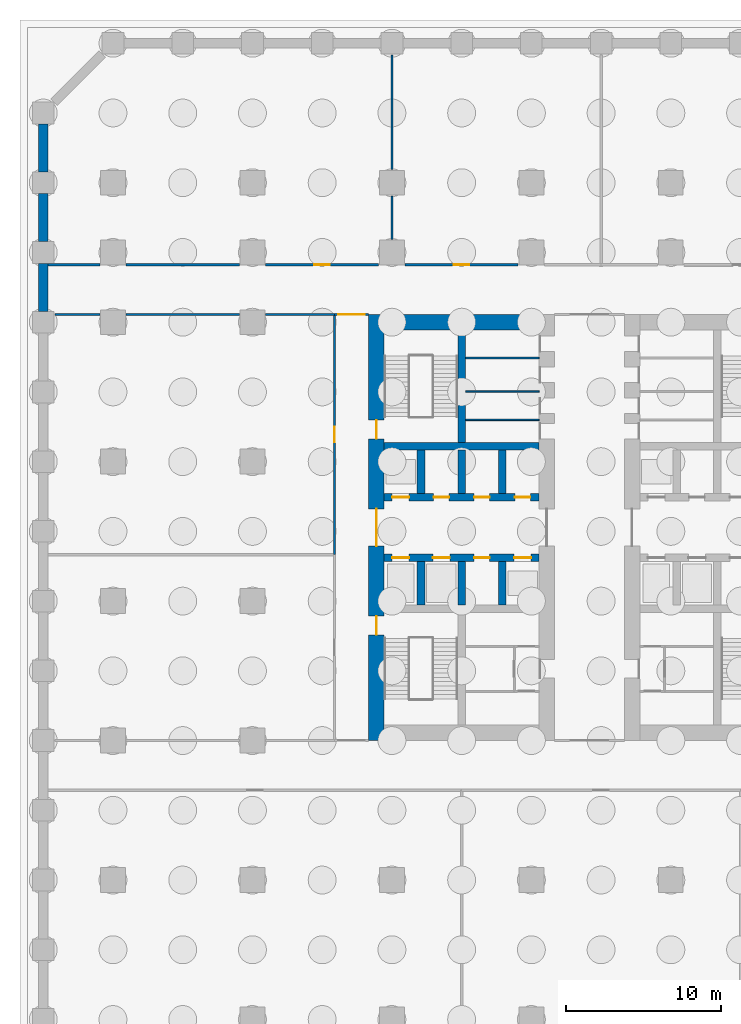
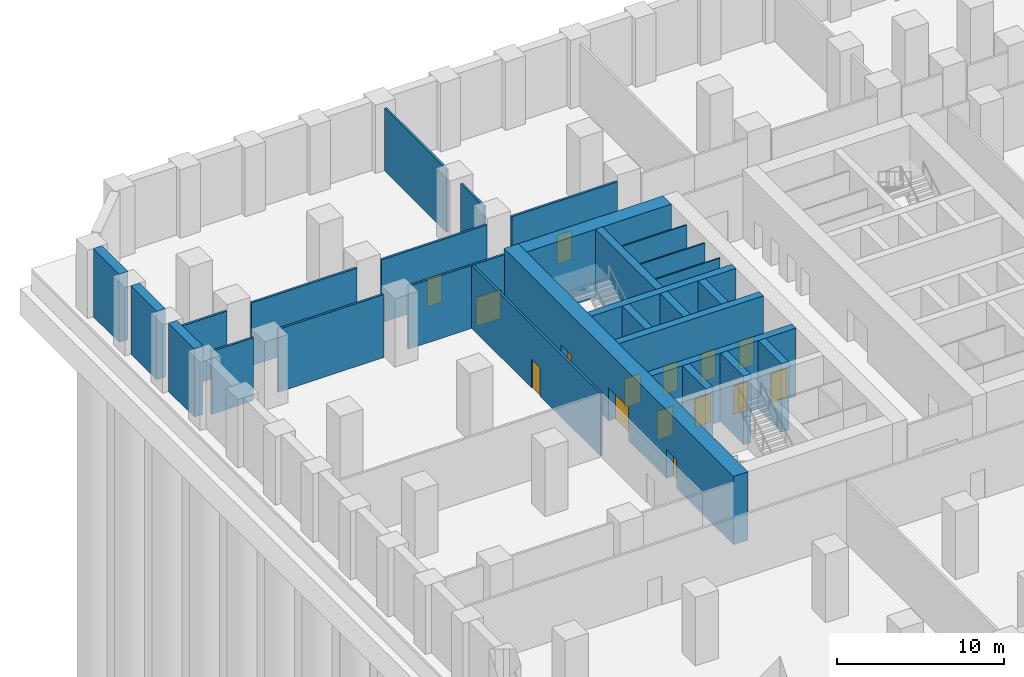
# One storey, part 4 of 9: 29 walls, 15 doors, 15 openings.
"""IFC4 building model written with IfcOpenShell, lengths in metres."""

from ifc_helpers import new_model, si_unit, direction, frame, frame_2d, origin, place, context, subcontext, project, spatial, rectangle, extrude, material, layer, layer_set, type_object, element, fill, save


model = new_model("IFC4")

# Units and contexts
model_context = context("Model", 3, precision=1e-05, world=origin(), true_north=direction((0.0, 1.0)))
body_context = subcontext(model_context, "Body", "Model", "MODEL_VIEW")
ifc_project = project(units=[si_unit("LENGTHUNIT", "METRE"), si_unit("AREAUNIT", "SQUARE_METRE"), si_unit("VOLUMEUNIT", "CUBIC_METRE"), si_unit("PLANEANGLEUNIT", "RADIAN"), si_unit("MASSUNIT", "GRAM", prefix="KILO")], contexts=[model_context])

# Site, building, storey
site_placement = place(None, origin())
site = spatial("IfcSite", under=ifc_project, at=site_placement, CompositionType="ELEMENT")
building_placement = place(site_placement, origin())
building = spatial("IfcBuilding", under=site, at=building_placement, Name="Corbel Stack Research Tower", CompositionType="ELEMENT")
storey_placement = place(building_placement, frame((0.0, 0.0, -10.0)))
storey = spatial("IfcBuildingStorey", under=building, at=storey_placement, Name="B2", CompositionType="ELEMENT", Elevation=-10.0)

# Walls
ifc_material_1 = material(Name="Concrete C45/55", Category="concrete")
ifc_layer_1 = layer(ifc_material_1, 0.60009765625)
ifc_layer_set_1 = layer_set([ifc_layer_1], Name="Concrete C45/55")
wall_type_1 = type_object("IfcWallType", Name="BW-600", PredefinedType="SOLIDWALL", material=ifc_layer_set_1)
for number, where, z_axis, x_axis, name in (
    (1, (-31.5, 30.800048828125, 0.0), (0.0, 0.0, 1.0), (0.0, -1.0, 0.0), "Basement wall B2"),
    (2, (-31.5, 26.300048828125, 0.0), (0.0, 0.0, 1.0), (0.0, -1.0, 0.0), "Basement wall B2"),
    (3, (-31.5, 21.800048828125, 0.0), (0.0, 0.0, 1.0), (0.0, -1.0, 0.0), "Basement wall B2"),
):
    element("IfcWall", number, at=place(storey_placement, frame(where, z_axis=z_axis, x_axis=x_axis)), inside=storey, type_object=wall_type_1, Name=name, PredefinedType="SOLIDWALL", context=body_context, shape_type="SweptSolid", body=[
        extrude(rectangle(XDim=3.10009765625, YDim=0.60009765625, at=frame_2d((1.550048828125, 0.0))), origin(), (0.0, 0.0, 1.0), 5.0),
    ])

# Wall, opening, door
ifc_material_2 = material(Name="Concrete block", Category="concrete")
ifc_layer_2 = layer(ifc_material_2, 0.14990234375)
ifc_layer_set_2 = layer_set([ifc_layer_2], Name="Concrete block")
wall_type_2 = type_object("IfcWallType", Name="Base partition 150 B2", PredefinedType="PARTITIONING", material=ifc_layer_set_2)
wall_1_placement = place(storey_placement, frame((-12.699951171875, 18.5, 0.0), z_axis=(0.0, 0.0, 1.0), x_axis=(1.0, 0.0, 0.0)))
wall_1 = element("IfcWall", 4, at=wall_1_placement, inside=storey, type_object=wall_type_2, Name="Partition B2", PredefinedType="PARTITIONING", context=body_context, shape_type="SweptSolid", body=[
    extrude(rectangle(XDim=2.199951171875, YDim=0.14990234375, at=frame_2d((1.10009765625, 0.0))), origin(), (0.0, 0.0, 1.0), 4.60009765625),
])
opening_1_placement = place(wall_1_placement, frame((0.25, 0.0, 0.0)))
opening_1 = element("IfcOpeningElement", 5, at=opening_1_placement, cuts=wall_1, Name="Opening BD-B2-13", PredefinedType="OPENING", context=body_context, shape_type="SweptSolid", body=[
    extrude(rectangle(XDim=1.699951171875, YDim=2.10009765625, at=frame_2d((0.85009765625, 1.050048828125))), frame((0.0, 0.0849609375, 0.0), z_axis=(0.0, -1.0, 0.0), x_axis=(1.0, 0.0, 0.0)), (0.0, 0.0, 1.0), 0.169921875),
])
ifc_material_3 = material(Name="Painted steel fire door", Category="steel")
door_type_1 = type_object("IfcDoorType", Name="Lobby door pair 1700 x 2100 FD30S", OperationType="DOUBLE_DOOR_DOUBLE_SWING", PredefinedType="DOOR", material=ifc_material_3)
door_1_placement = place(opening_1_placement, origin())
door_1 = element("IfcDoor", 6, at=door_1_placement, inside=storey, type_object=door_type_1, Name="Stair vestibule west to Plant corridor north opening", OperationType="DOUBLE_DOOR_DOUBLE_SWING", OverallHeight=2.10009765625, OverallWidth=1.699951171875, PredefinedType="DOOR", context=body_context, shape_type="SweptSolid", body=[
    extrude(rectangle(XDim=1.699951171875, YDim=2.10009765625, at=frame_2d((0.85009765625, 1.050048828125))), frame((0.0, 0.02490234375, 0.0), z_axis=(0.0, -1.0, 0.0), x_axis=(1.0, 0.0, 0.0)), (0.0, 0.0, 1.0), 0.050048828125),
])
fill(opening_1, door_1)

wall_2_placement = place(storey_placement, frame((-12.699951171875, 3.0, 0.0), z_axis=(0.0, 0.0, 1.0), x_axis=(0.0, 1.0, 0.0)))
wall_2 = element("IfcWall", 7, at=wall_2_placement, inside=storey, type_object=wall_type_2, Name="Partition B2", PredefinedType="PARTITIONING", context=body_context, shape_type="SweptSolid", body=[
    extrude(rectangle(XDim=15.5, YDim=0.14990234375, at=frame_2d((7.75, 0.0))), origin(), (0.0, 0.0, 1.0), 4.60009765625),
])
opening_2_placement = place(wall_2_placement, frame((7.25, 0.0, 0.0)))
opening_2 = element("IfcOpeningElement", 8, at=opening_2_placement, cuts=wall_2, Name="Opening BD-B2-05", PredefinedType="OPENING", context=body_context, shape_type="SweptSolid", body=[
    extrude(rectangle(XDim=1.0, YDim=2.10009765625, at=frame_2d((0.5, 1.050048828125))), frame((0.0, 0.0849609375, 0.0), z_axis=(0.0, -1.0, 0.0), x_axis=(1.0, 0.0, 0.0)), (0.0, 0.0, 1.0), 0.169921875),
])
ifc_material_4 = material(Name="Painted steel door", Category="steel")
door_type_2 = type_object("IfcDoorType", Name="Service door 1000 x 2100 FD60 left hand", OperationType="SINGLE_SWING_LEFT", PredefinedType="DOOR", material=ifc_material_4)
door_2_placement = place(opening_2_placement, origin())
door_2 = element("IfcDoor", 9, at=door_2_placement, inside=storey, type_object=door_type_2, Name="Equipment store door", OperationType="SINGLE_SWING_LEFT", OverallHeight=2.10009765625, OverallWidth=1.0, PredefinedType="DOOR", context=body_context, shape_type="SweptSolid", body=[
    extrude(rectangle(XDim=1.0, YDim=2.10009765625, at=frame_2d((0.5, 1.050048828125))), frame((0.0, 0.02490234375, 0.0), z_axis=(0.0, -1.0, 0.0), x_axis=(1.0, 0.0, 0.0)), (0.0, 0.0, 1.0), 0.050048828125),
])
fill(opening_2, door_2)

# Walls
wall_3_placement = place(storey_placement, frame((-30.75, 18.5, 0.0), z_axis=(0.0, 0.0, 1.0), x_axis=(1.0, 0.0, 0.0)))
element("IfcWall", 10, at=wall_3_placement, inside=storey, type_object=wall_type_2, Name="Partition B2", PredefinedType="PARTITIONING", context=body_context, shape_type="SweptSolid", body=[
    extrude(rectangle(XDim=2.89990234375, YDim=0.14990234375, at=frame_2d((1.449951171875, 0.0))), origin(), (0.0, 0.0, 1.0), 4.60009765625),
])
wall_4_placement = place(storey_placement, frame((-26.14990234375, 18.5, 0.0), z_axis=(0.0, 0.0, 1.0), x_axis=(1.0, 0.0, 0.0)))
element("IfcWall", 11, at=wall_4_placement, inside=storey, type_object=wall_type_2, Name="Partition B2", PredefinedType="PARTITIONING", context=body_context, shape_type="SweptSolid", body=[
    extrude(rectangle(XDim=7.2998046875, YDim=0.14990234375, at=frame_2d((3.64990234375, 0.0))), origin(), (0.0, 0.0, 1.0), 4.60009765625),
])
wall_5_placement = place(storey_placement, frame((-17.14990234375, 18.5, 0.0), z_axis=(0.0, 0.0, 1.0), x_axis=(1.0, 0.0, 0.0)))
element("IfcWall", 12, at=wall_5_placement, inside=storey, type_object=wall_type_2, Name="Partition B2", PredefinedType="PARTITIONING", context=body_context, shape_type="SweptSolid", body=[
    extrude(rectangle(XDim=4.449951171875, YDim=0.14990234375, at=frame_2d((2.22509765625, 0.0))), origin(), (0.0, 0.0, 1.0), 4.60009765625),
])

# Wall, opening, door
wall_6_placement = place(storey_placement, frame((-17.14990234375, 21.699951171875, 0.0), z_axis=(0.0, 0.0, 1.0), x_axis=(1.0, 0.0, 0.0)))
wall_6 = element("IfcWall", 13, at=wall_6_placement, inside=storey, type_object=wall_type_2, Name="Partition B2", PredefinedType="PARTITIONING", context=body_context, shape_type="SweptSolid", body=[
    extrude(rectangle(XDim=7.2998046875, YDim=0.14990234375, at=frame_2d((3.64990234375, 0.0))), origin(), (0.0, 0.0, 1.0), 4.60009765625),
])
opening_3_placement = place(wall_6_placement, frame((3.14990234375, 0.0, 0.0)))
opening_3 = element("IfcOpeningElement", 14, at=opening_3_placement, cuts=wall_6, Name="Opening BD-B2-08", PredefinedType="OPENING", context=body_context, shape_type="SweptSolid", body=[
    extrude(rectangle(XDim=1.0, YDim=2.10009765625, at=frame_2d((0.5, 1.050048828125))), frame((0.0, 0.0849609375, 0.0), z_axis=(0.0, -1.0, 0.0), x_axis=(1.0, 0.0, 0.0)), (0.0, 0.0, 1.0), 0.169921875),
])
ifc_material_5 = material(Name="Painted steel door", Category="steel")
door_type_3 = type_object("IfcDoorType", Name="Service door 1000 x 2100 FD60 right hand", OperationType="SINGLE_SWING_RIGHT", PredefinedType="DOOR", material=ifc_material_5)
door_3_placement = place(opening_3_placement, origin())
door_3 = element("IfcDoor", 15, at=door_3_placement, inside=storey, type_object=door_type_3, Name="Gas cylinder store door", OperationType="SINGLE_SWING_RIGHT", OverallHeight=2.10009765625, OverallWidth=1.0, PredefinedType="DOOR", context=body_context, shape_type="SweptSolid", body=[
    extrude(rectangle(XDim=1.0, YDim=2.10009765625, at=frame_2d((0.5, 1.050048828125))), frame((0.0, 0.02490234375, 0.0), z_axis=(0.0, -1.0, 0.0), x_axis=(1.0, 0.0, 0.0)), (0.0, 0.0, 1.0), 0.050048828125),
])
fill(opening_3, door_3)

# Walls
wall_7_placement = place(storey_placement, frame((-26.14990234375, 21.699951171875, 0.0), z_axis=(0.0, 0.0, 1.0), x_axis=(1.0, 0.0, 0.0)))
element("IfcWall", 16, at=wall_7_placement, inside=storey, type_object=wall_type_2, Name="Partition B2", PredefinedType="PARTITIONING", context=body_context, shape_type="SweptSolid", body=[
    extrude(rectangle(XDim=7.2998046875, YDim=0.14990234375, at=frame_2d((3.64990234375, 0.0))), origin(), (0.0, 0.0, 1.0), 4.60009765625),
])
wall_8_placement = place(storey_placement, frame((-31.199951171875, 21.699951171875, 0.0), z_axis=(0.0, 0.0, 1.0), x_axis=(1.0, 0.0, 0.0)))
element("IfcWall", 17, at=wall_8_placement, inside=storey, type_object=wall_type_2, Name="Partition B2", PredefinedType="PARTITIONING", context=body_context, shape_type="SweptSolid", body=[
    extrude(rectangle(XDim=3.349853515625, YDim=0.14990234375, at=frame_2d((1.6748046875, 0.0))), origin(), (0.0, 0.0, 1.0), 4.60009765625),
])

# Wall, opening, door
wall_9_placement = place(storey_placement, frame((-8.14990234375, 21.699951171875, 0.0), z_axis=(0.0, 0.0, 1.0), x_axis=(1.0, 0.0, 0.0)))
wall_9 = element("IfcWall", 18, at=wall_9_placement, inside=storey, type_object=wall_type_2, Name="Partition B2", PredefinedType="PARTITIONING", context=body_context, shape_type="SweptSolid", body=[
    extrude(rectangle(XDim=7.2998046875, YDim=0.14990234375, at=frame_2d((3.64990234375, 0.0))), origin(), (0.0, 0.0, 1.0), 4.60009765625),
])
opening_4_placement = place(wall_9_placement, frame((3.14990234375, 0.0, 0.0)))
opening_4 = element("IfcOpeningElement", 19, at=opening_4_placement, cuts=wall_9, Name="Opening BD-B2-09", PredefinedType="OPENING", context=body_context, shape_type="SweptSolid", body=[
    extrude(rectangle(XDim=1.0, YDim=2.10009765625, at=frame_2d((0.5, 1.050048828125))), frame((0.0, 0.0849609375, 0.0), z_axis=(0.0, -1.0, 0.0), x_axis=(1.0, 0.0, 0.0)), (0.0, 0.0, 1.0), 0.169921875),
])
door_4_placement = place(opening_4_placement, origin())
door_4 = element("IfcDoor", 20, at=door_4_placement, inside=storey, type_object=door_type_2, Name="Chemical waste and recycling store door", OperationType="SINGLE_SWING_LEFT", OverallHeight=2.10009765625, OverallWidth=1.0, PredefinedType="DOOR", context=body_context, shape_type="SweptSolid", body=[
    extrude(rectangle(XDim=1.0, YDim=2.10009765625, at=frame_2d((0.5, 1.050048828125))), frame((0.0, 0.02490234375, 0.0), z_axis=(0.0, -1.0, 0.0), x_axis=(1.0, 0.0, 0.0)), (0.0, 0.0, 1.0), 0.050048828125),
])
fill(opening_4, door_4)

# Walls
wall_10_placement = place(storey_placement, frame((-9.0, 23.35009765625, 0.0), z_axis=(0.0, 0.0, 1.0), x_axis=(0.0, 1.0, 0.0)))
element("IfcWall", 21, at=wall_10_placement, inside=storey, type_object=wall_type_2, Name="Partition B2", PredefinedType="PARTITIONING", context=body_context, shape_type="SweptSolid", body=[
    extrude(rectangle(XDim=2.7998046875, YDim=0.14990234375, at=frame_2d((1.39990234375, 0.0))), origin(), (0.0, 0.0, 1.0), 4.60009765625),
])
wall_11_placement = place(storey_placement, frame((-9.0, 27.85009765625, 0.0), z_axis=(0.0, 0.0, 1.0), x_axis=(0.0, 1.0, 0.0)))
element("IfcWall", 22, at=wall_11_placement, inside=storey, type_object=wall_type_2, Name="Partition B2", PredefinedType="PARTITIONING", context=body_context, shape_type="SweptSolid", body=[
    extrude(rectangle(XDim=7.39990234375, YDim=0.14990234375, at=frame_2d((3.699951171875, 0.0))), origin(), (0.0, 0.0, 1.0), 4.60009765625),
])

# Wall, openings, doors
ifc_material_6 = material(Name="Concrete C70/85", Category="concrete")
ifc_layer_3 = layer(ifc_material_6, 1.0)
ifc_layer_set_3 = layer_set([ifc_layer_3], Name="Concrete C70/85")
wall_type_3 = type_object("IfcWallType", Name="CW-1000-70", PredefinedType="SHEAR", material=ifc_layer_set_3)
wall_12_placement = place(storey_placement, frame((-10.0, -9.0, 0.0), z_axis=(0.0, 0.0, 1.0), x_axis=(0.0, 1.0, 0.0)))
wall_12 = element("IfcWall", 23, at=wall_12_placement, inside=storey, type_object=wall_type_3, Name="West core wall, west face B2", PredefinedType="SHEAR", context=body_context, shape_type="SweptSolid", body=[
    extrude(rectangle(XDim=27.5, YDim=1.0, at=frame_2d((13.75, 0.0))), origin(), (0.0, 0.0, 1.0), 5.0),
])
opening_5_placement = place(wall_12_placement, frame((12.550048828125, 0.0, 0.0)))
opening_5 = element("IfcOpeningElement", 24, at=opening_5_placement, cuts=wall_12, Name="Opening CD-W-W", PredefinedType="OPENING", context=body_context, shape_type="SweptSolid", body=[
    extrude(rectangle(XDim=2.39990234375, YDim=2.39990234375, at=frame_2d((1.199951171875, 1.199951171875))), frame((0.0, 0.510009765625, 0.0), z_axis=(0.0, -1.0, 0.0), x_axis=(1.0, 0.0, 0.0)), (0.0, 0.0, 1.0), 1.02001953125),
])
opening_6_placement = place(wall_12_placement, frame((6.824951171875, 0.0, 0.0)))
opening_6 = element("IfcOpeningElement", 25, at=opening_6_placement, cuts=wall_12, Name="Opening SD-ST-W1", PredefinedType="OPENING", context=body_context, shape_type="SweptSolid", body=[
    extrude(rectangle(XDim=1.199951171875, YDim=2.10009765625, at=frame_2d((0.60009765625, 1.050048828125))), frame((0.0, 0.510009765625, 0.0), z_axis=(0.0, -1.0, 0.0), x_axis=(1.0, 0.0, 0.0)), (0.0, 0.0, 1.0), 1.02001953125),
])
opening_7_placement = place(wall_12_placement, frame((19.47509765625, 0.0, 0.0)))
opening_7 = element("IfcOpeningElement", 26, at=opening_7_placement, cuts=wall_12, Name="Opening SD-ST-W2", PredefinedType="OPENING", context=body_context, shape_type="SweptSolid", body=[
    extrude(rectangle(XDim=1.199951171875, YDim=2.10009765625, at=frame_2d((0.60009765625, 1.050048828125))), frame((0.0, 0.510009765625, 0.0), z_axis=(0.0, -1.0, 0.0), x_axis=(1.0, 0.0, 0.0)), (0.0, 0.0, 1.0), 1.02001953125),
])
ifc_material_7 = material(Name="Painted steel fire door", Category="steel")
door_type_4 = type_object("IfcDoorType", Name="Lobby door pair 2400 x 2400 FD30S", OperationType="DOUBLE_DOOR_DOUBLE_SWING", PredefinedType="DOOR", material=ifc_material_7)
door_5_placement = place(opening_5_placement, origin())
door_5 = element("IfcDoor", 27, at=door_5_placement, inside=storey, type_object=door_type_4, Name="Lift lobby door W core W", OperationType="DOUBLE_DOOR_DOUBLE_SWING", OverallHeight=2.39990234375, OverallWidth=2.39990234375, PredefinedType="DOOR", context=body_context, shape_type="SweptSolid", body=[
    extrude(rectangle(XDim=2.39990234375, YDim=2.39990234375, at=frame_2d((1.199951171875, 1.199951171875))), frame((0.0, 0.02490234375, 0.0), z_axis=(0.0, -1.0, 0.0), x_axis=(1.0, 0.0, 0.0)), (0.0, 0.0, 1.0), 0.050048828125),
])
fill(opening_5, door_5)
ifc_material_8 = material(Name="Painted steel fire door", Category="steel")
door_type_5 = type_object("IfcDoorType", Name="Stair door 1200 x 2100 FD90 left hand", OperationType="SINGLE_SWING_LEFT", PredefinedType="DOOR", material=ifc_material_8)
door_6_placement = place(opening_6_placement, origin())
door_6 = element("IfcDoor", 28, at=door_6_placement, inside=storey, type_object=door_type_5, Name="Stair door ST-W1", OperationType="SINGLE_SWING_LEFT", OverallHeight=2.10009765625, OverallWidth=1.199951171875, PredefinedType="DOOR", context=body_context, shape_type="SweptSolid", body=[
    extrude(rectangle(XDim=1.199951171875, YDim=2.10009765625, at=frame_2d((0.60009765625, 1.050048828125))), frame((0.0, 0.02490234375, 0.0), z_axis=(0.0, -1.0, 0.0), x_axis=(1.0, 0.0, 0.0)), (0.0, 0.0, 1.0), 0.050048828125),
])
fill(opening_6, door_6)
door_7_placement = place(opening_7_placement, origin())
door_7 = element("IfcDoor", 29, at=door_7_placement, inside=storey, type_object=door_type_5, Name="Stair door ST-W2", OperationType="SINGLE_SWING_LEFT", OverallHeight=2.10009765625, OverallWidth=1.199951171875, PredefinedType="DOOR", context=body_context, shape_type="SweptSolid", body=[
    extrude(rectangle(XDim=1.199951171875, YDim=2.10009765625, at=frame_2d((0.60009765625, 1.050048828125))), frame((0.0, 0.02490234375, 0.0), z_axis=(0.0, -1.0, 0.0), x_axis=(1.0, 0.0, 0.0)), (0.0, 0.0, 1.0), 0.050048828125),
])
fill(opening_7, door_7)

# Wall
wall_13_placement = place(storey_placement, frame((-9.5, 18.0, 0.0), z_axis=(0.0, 0.0, 1.0), x_axis=(1.0, 0.0, 0.0)))
element("IfcWall", 30, at=wall_13_placement, inside=storey, type_object=wall_type_3, Name="West core wall, north end B2", PredefinedType="SHEAR", context=body_context, shape_type="SweptSolid", body=[
    extrude(rectangle(XDim=10.0, YDim=1.0, at=frame_2d((5.0, 0.0))), origin(), (0.0, 0.0, 1.0), 5.0),
])

# Wall, openings, doors
ifc_material_9 = material(Name="Concrete C70/85", Category="concrete")
ifc_layer_4 = layer(ifc_material_9, 0.5)
ifc_layer_set_4 = layer_set([ifc_layer_4], Name="Concrete C70/85")
wall_type_4 = type_object("IfcWallType", Name="CW-500-70", PredefinedType="SHEAR", material=ifc_layer_set_4)
wall_14_placement = place(storey_placement, frame((-9.5, 2.800048828125, 0.0), z_axis=(0.0, 0.0, 1.0), x_axis=(1.0, 0.0, 0.0)))
wall_14 = element("IfcWall", 31, at=wall_14_placement, inside=storey, type_object=wall_type_4, Name="West core wall, lobby south B2", PredefinedType="SHEAR", context=body_context, shape_type="SweptSolid", body=[
    extrude(rectangle(XDim=10.0, YDim=0.5, at=frame_2d((5.0, 0.0))), origin(), (0.0, 0.0, 1.0), 5.0),
])
opening_8_placement = place(wall_14_placement, frame((0.512451171875, 0.0, 0.0)))
opening_8 = element("IfcOpeningElement", 32, at=opening_8_placement, cuts=wall_14, Name="Opening LD-FS1", PredefinedType="OPENING", context=body_context, shape_type="SweptSolid", body=[
    extrude(rectangle(XDim=1.10009765625, YDim=2.10009765625, at=frame_2d((0.550048828125, 1.050048828125))), frame((0.0, 0.260009765625, 0.0), z_axis=(0.0, -1.0, 0.0), x_axis=(1.0, 0.0, 0.0)), (0.0, 0.0, 1.0), 0.52001953125),
])
opening_9_placement = place(wall_14_placement, frame((3.137451171875, 0.0, 0.0)))
opening_9 = element("IfcOpeningElement", 33, at=opening_9_placement, cuts=wall_14, Name="Opening LD-GL1", PredefinedType="OPENING", context=body_context, shape_type="SweptSolid", body=[
    extrude(rectangle(XDim=1.10009765625, YDim=2.10009765625, at=frame_2d((0.550048828125, 1.050048828125))), frame((0.0, 0.260009765625, 0.0), z_axis=(0.0, -1.0, 0.0), x_axis=(1.0, 0.0, 0.0)), (0.0, 0.0, 1.0), 0.52001953125),
])
opening_10_placement = place(wall_14_placement, frame((8.387451171875, 0.0, 0.0)))
opening_10 = element("IfcOpeningElement", 34, at=opening_10_placement, cuts=wall_14, Name="Opening LD-LR1", PredefinedType="OPENING", context=body_context, shape_type="SweptSolid", body=[
    extrude(rectangle(XDim=1.10009765625, YDim=2.10009765625, at=frame_2d((0.550048828125, 1.050048828125))), frame((0.0, 0.260009765625, 0.0), z_axis=(0.0, -1.0, 0.0), x_axis=(1.0, 0.0, 0.0)), (0.0, 0.0, 1.0), 0.52001953125),
])
opening_11_placement = place(wall_14_placement, frame((5.8125, 0.0, 0.0)))
opening_11 = element("IfcOpeningElement", 35, at=opening_11_placement, cuts=wall_14, Name="Opening CR-W36-S3", PredefinedType="OPENING", context=body_context, shape_type="SweptSolid", body=[
    extrude(rectangle(XDim=1.0, YDim=2.10009765625, at=frame_2d((0.5, 1.050048828125))), frame((0.0, 0.260009765625, 0.0), z_axis=(0.0, -1.0, 0.0), x_axis=(1.0, 0.0, 0.0)), (0.0, 0.0, 1.0), 0.52001953125),
])
ifc_material_10 = material(Name="Stainless steel landing door", Category="steel")
door_type_6 = type_object("IfcDoorType", Name="Lift landing door 1100 x 2100", OperationType="DOUBLE_DOOR_SLIDING", PredefinedType="DOOR", material=ifc_material_10)
door_8_placement = place(opening_8_placement, origin())
door_8 = element("IfcDoor", 36, at=door_8_placement, inside=storey, type_object=door_type_6, Name="Landing door FS1", OperationType="DOUBLE_DOOR_SLIDING", OverallHeight=2.10009765625, OverallWidth=1.10009765625, PredefinedType="DOOR", context=body_context, shape_type="SweptSolid", body=[
    extrude(rectangle(XDim=1.10009765625, YDim=2.10009765625, at=frame_2d((0.550048828125, 1.050048828125))), frame((0.0, 0.02490234375, 0.0), z_axis=(0.0, -1.0, 0.0), x_axis=(1.0, 0.0, 0.0)), (0.0, 0.0, 1.0), 0.050048828125),
])
fill(opening_8, door_8)
door_9_placement = place(opening_9_placement, origin())
door_9 = element("IfcDoor", 37, at=door_9_placement, inside=storey, type_object=door_type_6, Name="Landing door GL1", OperationType="DOUBLE_DOOR_SLIDING", OverallHeight=2.10009765625, OverallWidth=1.10009765625, PredefinedType="DOOR", context=body_context, shape_type="SweptSolid", body=[
    extrude(rectangle(XDim=1.10009765625, YDim=2.10009765625, at=frame_2d((0.550048828125, 1.050048828125))), frame((0.0, 0.02490234375, 0.0), z_axis=(0.0, -1.0, 0.0), x_axis=(1.0, 0.0, 0.0)), (0.0, 0.0, 1.0), 0.050048828125),
])
fill(opening_9, door_9)
door_10_placement = place(opening_10_placement, origin())
door_10 = element("IfcDoor", 38, at=door_10_placement, inside=storey, type_object=door_type_6, Name="Landing door LR1", OperationType="DOUBLE_DOOR_SLIDING", OverallHeight=2.10009765625, OverallWidth=1.10009765625, PredefinedType="DOOR", context=body_context, shape_type="SweptSolid", body=[
    extrude(rectangle(XDim=1.10009765625, YDim=2.10009765625, at=frame_2d((0.550048828125, 1.050048828125))), frame((0.0, 0.02490234375, 0.0), z_axis=(0.0, -1.0, 0.0), x_axis=(1.0, 0.0, 0.0)), (0.0, 0.0, 1.0), 0.050048828125),
])
fill(opening_10, door_10)
door_11_placement = place(opening_11_placement, origin())
door_11 = element("IfcDoor", 39, at=door_11_placement, inside=storey, type_object=door_type_2, Name="Electrical switch room door W core", OperationType="SINGLE_SWING_LEFT", OverallHeight=2.10009765625, OverallWidth=1.0, PredefinedType="DOOR", context=body_context, shape_type="SweptSolid", body=[
    extrude(rectangle(XDim=1.0, YDim=2.10009765625, at=frame_2d((0.5, 1.050048828125))), frame((0.0, 0.02490234375, 0.0), z_axis=(0.0, -1.0, 0.0), x_axis=(1.0, 0.0, 0.0)), (0.0, 0.0, 1.0), 0.050048828125),
])
fill(opening_11, door_11)

wall_15_placement = place(storey_placement, frame((-9.5, 6.699951171875, 0.0), z_axis=(0.0, 0.0, 1.0), x_axis=(1.0, 0.0, 0.0)))
wall_15 = element("IfcWall", 40, at=wall_15_placement, inside=storey, type_object=wall_type_4, Name="West core wall, lobby north B2", PredefinedType="SHEAR", context=body_context, shape_type="SweptSolid", body=[
    extrude(rectangle(XDim=10.0, YDim=0.5, at=frame_2d((5.0, 0.0))), origin(), (0.0, 0.0, 1.0), 5.0),
])
opening_12_placement = place(wall_15_placement, frame((0.512451171875, 0.0, 0.0)))
opening_12 = element("IfcOpeningElement", 41, at=opening_12_placement, cuts=wall_15, Name="Opening LD-LR2", PredefinedType="OPENING", context=body_context, shape_type="SweptSolid", body=[
    extrude(rectangle(XDim=1.10009765625, YDim=2.10009765625, at=frame_2d((0.550048828125, 1.050048828125))), frame((0.0, 0.260009765625, 0.0), z_axis=(0.0, -1.0, 0.0), x_axis=(1.0, 0.0, 0.0)), (0.0, 0.0, 1.0), 0.52001953125),
])
opening_13_placement = place(wall_15_placement, frame((3.1875, 0.0, 0.0)))
opening_13 = element("IfcOpeningElement", 42, at=opening_13_placement, cuts=wall_15, Name="Opening CR-W36-N2", PredefinedType="OPENING", context=body_context, shape_type="SweptSolid", body=[
    extrude(rectangle(XDim=1.0, YDim=2.10009765625, at=frame_2d((0.5, 1.050048828125))), frame((0.0, 0.260009765625, 0.0), z_axis=(0.0, -1.0, 0.0), x_axis=(1.0, 0.0, 0.0)), (0.0, 0.0, 1.0), 0.52001953125),
])
opening_14_placement = place(wall_15_placement, frame((5.8125, 0.0, 0.0)))
opening_14 = element("IfcOpeningElement", 43, at=opening_14_placement, cuts=wall_15, Name="Opening CR-W36-N3", PredefinedType="OPENING", context=body_context, shape_type="SweptSolid", body=[
    extrude(rectangle(XDim=1.0, YDim=2.10009765625, at=frame_2d((0.5, 1.050048828125))), frame((0.0, 0.260009765625, 0.0), z_axis=(0.0, -1.0, 0.0), x_axis=(1.0, 0.0, 0.0)), (0.0, 0.0, 1.0), 0.52001953125),
])
opening_15_placement = place(wall_15_placement, frame((8.4375, 0.0, 0.0)))
opening_15 = element("IfcOpeningElement", 44, at=opening_15_placement, cuts=wall_15, Name="Opening CR-W36-N4", PredefinedType="OPENING", context=body_context, shape_type="SweptSolid", body=[
    extrude(rectangle(XDim=1.0, YDim=2.10009765625, at=frame_2d((0.5, 1.050048828125))), frame((0.0, 0.260009765625, 0.0), z_axis=(0.0, -1.0, 0.0), x_axis=(1.0, 0.0, 0.0)), (0.0, 0.0, 1.0), 0.52001953125),
])
door_12_placement = place(opening_12_placement, origin())
door_12 = element("IfcDoor", 45, at=door_12_placement, inside=storey, type_object=door_type_6, Name="Landing door LR2", OperationType="DOUBLE_DOOR_SLIDING", OverallHeight=2.10009765625, OverallWidth=1.10009765625, PredefinedType="DOOR", context=body_context, shape_type="SweptSolid", body=[
    extrude(rectangle(XDim=1.10009765625, YDim=2.10009765625, at=frame_2d((0.550048828125, 1.050048828125))), frame((0.0, 0.02490234375, 0.0), z_axis=(0.0, -1.0, 0.0), x_axis=(1.0, 0.0, 0.0)), (0.0, 0.0, 1.0), 0.050048828125),
])
fill(opening_12, door_12)
door_13_placement = place(opening_14_placement, origin())
door_13 = element("IfcDoor", 46, at=door_13_placement, inside=storey, type_object=door_type_2, Name="Telecom room door W core", OperationType="SINGLE_SWING_LEFT", OverallHeight=2.10009765625, OverallWidth=1.0, PredefinedType="DOOR", context=body_context, shape_type="SweptSolid", body=[
    extrude(rectangle(XDim=1.0, YDim=2.10009765625, at=frame_2d((0.5, 1.050048828125))), frame((0.0, 0.02490234375, 0.0), z_axis=(0.0, -1.0, 0.0), x_axis=(1.0, 0.0, 0.0)), (0.0, 0.0, 1.0), 0.050048828125),
])
fill(opening_14, door_13)
door_14_placement = place(opening_13_placement, origin())
door_14 = element("IfcDoor", 47, at=door_14_placement, inside=storey, type_object=door_type_3, Name="Pump room door W core", OperationType="SINGLE_SWING_RIGHT", OverallHeight=2.10009765625, OverallWidth=1.0, PredefinedType="DOOR", context=body_context, shape_type="SweptSolid", body=[
    extrude(rectangle(XDim=1.0, YDim=2.10009765625, at=frame_2d((0.5, 1.050048828125))), frame((0.0, 0.02490234375, 0.0), z_axis=(0.0, -1.0, 0.0), x_axis=(1.0, 0.0, 0.0)), (0.0, 0.0, 1.0), 0.050048828125),
])
fill(opening_13, door_14)
door_15_placement = place(opening_15_placement, origin())
door_15 = element("IfcDoor", 48, at=door_15_placement, inside=storey, type_object=door_type_3, Name="Electrical switch room door W core", OperationType="SINGLE_SWING_RIGHT", OverallHeight=2.10009765625, OverallWidth=1.0, PredefinedType="DOOR", context=body_context, shape_type="SweptSolid", body=[
    extrude(rectangle(XDim=1.0, YDim=2.10009765625, at=frame_2d((0.5, 1.050048828125))), frame((0.0, 0.02490234375, 0.0), z_axis=(0.0, -1.0, 0.0), x_axis=(1.0, 0.0, 0.0)), (0.0, 0.0, 1.0), 0.050048828125),
])
fill(opening_15, door_15)

# Walls
wall_16_placement = place(storey_placement, frame((-9.5, 10.0, 0.0), z_axis=(0.0, 0.0, 1.0), x_axis=(1.0, 0.0, 0.0)))
element("IfcWall", 49, at=wall_16_placement, inside=storey, type_object=wall_type_4, Name="West core wall, north row back B2", PredefinedType="SHEAR", context=body_context, shape_type="SweptSolid", body=[
    extrude(rectangle(XDim=10.0, YDim=0.5, at=frame_2d((5.0, 0.0))), origin(), (0.0, 0.0, 1.0), 5.0),
])
for number, where, z_axis, x_axis, name in (
    (50, (-7.125, -0.25, 0.0), (0.0, 0.0, 1.0), (0.0, 1.0, 0.0), "West core wall, south shaft 1 B2"),
    (51, (-7.125, 6.949951171875, 0.0), (0.0, 0.0, 1.0), (0.0, 1.0, 0.0), "West core wall, north shaft 1 B2"),
    (52, (-4.5, -0.25, 0.0), (0.0, 0.0, 1.0), (0.0, 1.0, 0.0), "West core wall, south shaft 2 B2"),
    (53, (-4.5, 6.949951171875, 0.0), (0.0, 0.0, 1.0), (0.0, 1.0, 0.0), "West core wall, north shaft 2 B2"),
    (54, (-1.875, -0.25, 0.0), (0.0, 0.0, 1.0), (0.0, 1.0, 0.0), "West core wall, south shaft 3 B2"),
    (55, (-1.875, 6.949951171875, 0.0), (0.0, 0.0, 1.0), (0.0, 1.0, 0.0), "West core wall, north shaft 3 B2"),
):
    element("IfcWall", number, at=place(storey_placement, frame(where, z_axis=z_axis, x_axis=x_axis)), inside=storey, type_object=wall_type_4, Name=name, PredefinedType="SHEAR", context=body_context, shape_type="SweptSolid", body=[
        extrude(rectangle(XDim=2.800048828125, YDim=0.5, at=frame_2d((1.39990234375, 0.0))), origin(), (0.0, 0.0, 1.0), 5.0),
    ])
wall_17_placement = place(storey_placement, frame((-4.5, 10.25, 0.0), z_axis=(0.0, 0.0, 1.0), x_axis=(0.0, 1.0, 0.0)))
element("IfcWall", 56, at=wall_17_placement, inside=storey, type_object=wall_type_4, Name="West core wall, north stair and riser B2", PredefinedType="SHEAR", context=body_context, shape_type="SweptSolid", body=[
    extrude(rectangle(XDim=7.25, YDim=0.5, at=frame_2d((3.625, 0.0))), origin(), (0.0, 0.0, 1.0), 5.0),
])
ifc_material_11 = material(Name="Gypsum board")
ifc_layer_5 = layer(ifc_material_11, 0.10009765625)
ifc_layer_set_5 = layer_set([ifc_layer_5], Name="Gypsum board")
wall_type_5 = type_object("IfcWallType", Name="Core partition 100", PredefinedType="PARTITIONING", material=ifc_layer_set_5)
for number, where, z_axis, x_axis, name in (
    (57, (-4.25, 11.699951171875, 0.0), (0.0, 0.0, 1.0), (1.0, 0.0, 0.0), "Core partition W"),
    (58, (-4.25, 13.512451171875, 0.0), (0.0, 0.0, 1.0), (1.0, 0.0, 0.0), "Core partition W"),
    (59, (-4.25, 15.6875, 0.0), (0.0, 0.0, 1.0), (1.0, 0.0, 0.0), "Core partition W"),
):
    element("IfcWall", number, at=place(storey_placement, frame(where, z_axis=z_axis, x_axis=x_axis)), inside=storey, type_object=wall_type_5, Name=name, PredefinedType="PARTITIONING", context=body_context, shape_type="SweptSolid", body=[
        extrude(rectangle(XDim=4.75, YDim=0.10009765625, at=frame_2d((2.375, 0.0))), origin(), (0.0, 0.0, 1.0), 4.60009765625),
    ])

save(model, "model.ifc")
